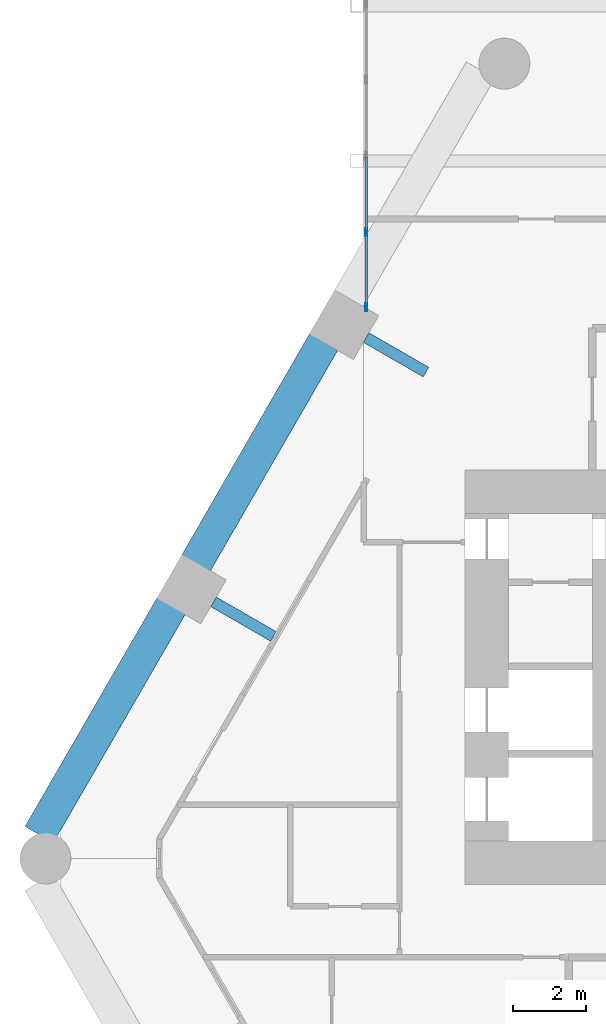
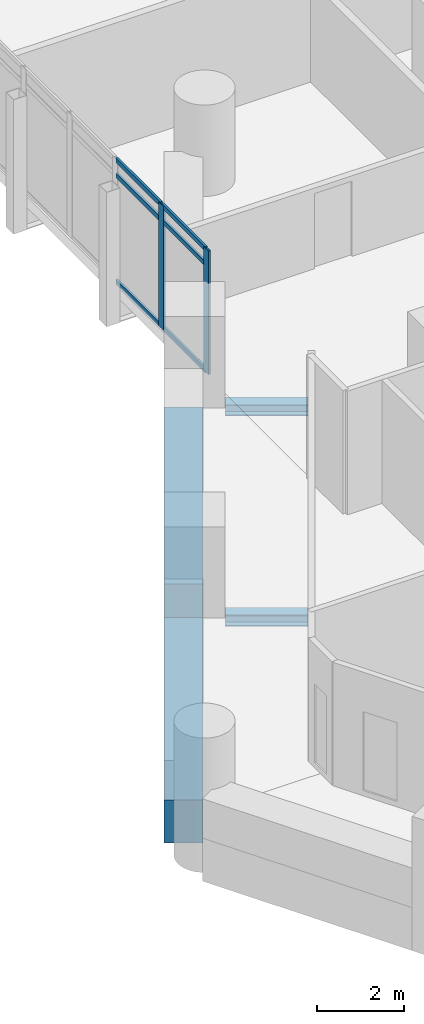
# One storey, part 12 of 28: 8 members, 4 beams, 1 element without a shape of its own.
"""IFC4 building model written with IfcOpenShell, lengths in metres."""

from ifc_helpers import new_model, si_unit, direction, frame, origin, origin_2d, place, context, subcontext, project, spatial, rectangle, hollow_rectangle, i_section, extrude, material, material_profile, profile_set, type_object, element, aggregate, save


model = new_model("IFC4")

# Units and contexts
model_context = context("Model", 3, precision=1e-05, world=origin(), true_north=direction((0.0, 1.0)))
body_context = subcontext(model_context, "Body", "Model", "MODEL_VIEW")
ifc_project = project(units=[si_unit("LENGTHUNIT", "METRE"), si_unit("AREAUNIT", "SQUARE_METRE"), si_unit("VOLUMEUNIT", "CUBIC_METRE"), si_unit("PLANEANGLEUNIT", "RADIAN"), si_unit("MASSUNIT", "GRAM", prefix="KILO")], contexts=[model_context])

# Site, building, storey
site_placement = place(None, origin())
site = spatial("IfcSite", under=ifc_project, at=site_placement, CompositionType="ELEMENT")
building_placement = place(site_placement, origin())
building = spatial("IfcBuilding", under=site, at=building_placement, Name="Ostrander Bayou Hotel Tower", CompositionType="ELEMENT")
storey_placement = place(building_placement, frame((0.0, 0.0, 73.0)))
storey = spatial("IfcBuildingStorey", under=building, at=storey_placement, Name="L18", CompositionType="ELEMENT", Elevation=73.0)

# Curtain wall, members
ifc_material_1 = material(Name="Aluminium and clear glass", Category="aluminium")
curtain_wall_type = type_object("IfcCurtainWallType", Name="CW-BAR glazed wall", PredefinedType="NOTDEFINED", material=ifc_material_1)
curtain_wall_placement = place(storey_placement, origin())
curtain_wall = element("IfcCurtainWall", 1, at=curtain_wall_placement, inside=storey, type_object=curtain_wall_type, Name="CW-BAR L18:SB1N:E", PredefinedType="NOTDEFINED")
ifc_material_2 = material(Name="Aluminium", Category="aluminium")
ifc_material_profile_1 = material_profile(ifc_material_2, hollow_rectangle(XDim=0.06005859375, YDim=0.219970703125, WallThickness=0.00390625, at=origin_2d()))
ifc_profile_set_1 = profile_set([ifc_material_profile_1], Name="Aluminium")
member_type_1 = type_object("IfcMemberType", Name="CW-BR mullion 60 x 220 mm", PredefinedType="MULLION", material=ifc_profile_set_1)
member_1_placement = place(storey_placement, frame((-14.712158203125, 14.1767578125, 0.0), z_axis=(0.0, 0.0, 1.0), x_axis=(-1.0, 0.0, 0.0)))
member_1 = element("IfcMember", 2, at=member_1_placement, type_object=member_type_1, Name="CW-BAR mullion 1", PredefinedType="MULLION", context=body_context, shape_type="SweptSolid", body=[
    extrude(hollow_rectangle(XDim=0.06005859375, YDim=0.219970703125, WallThickness=0.00390625, at=origin_2d()), origin(), (0.0, 0.0, 1.0), 3.449951171875),
])
member_2_placement = place(storey_placement, frame((-14.712158203125, 16.2392578125, 0.0), z_axis=(0.0, 0.0, 1.0), x_axis=(-1.0, 0.0, 0.0)))
member_2 = element("IfcMember", 3, at=member_2_placement, type_object=member_type_1, Name="CW-BAR mullion 2", PredefinedType="MULLION", context=body_context, shape_type="SweptSolid", body=[
    extrude(hollow_rectangle(XDim=0.06005859375, YDim=0.219970703125, WallThickness=0.00390625, at=origin_2d()), origin(), (0.0, 0.0, 1.0), 3.449951171875),
])
ifc_material_3 = material(Name="Aluminium", Category="aluminium")
ifc_material_profile_2 = material_profile(ifc_material_3, hollow_rectangle(XDim=0.06005859375, YDim=0.1298828125, WallThickness=0.00390625, at=origin_2d()))
ifc_profile_set_2 = profile_set([ifc_material_profile_2], Name="Aluminium")
member_type_2 = type_object("IfcMemberType", Name="CW-BR transom 60 x 130 mm", PredefinedType="USERDEFINED", material=ifc_profile_set_2)
member_3_placement = place(storey_placement, frame((-14.712158203125, 14.206787109375, 0.030029296875), z_axis=(0.0, 1.0, 0.0), x_axis=(-1.0, 0.0, 0.0)))
member_3 = element("IfcMember", 4, at=member_3_placement, type_object=member_type_2, Name="CW-BAR transom 1.1", ObjectType="TRANSOM", PredefinedType="USERDEFINED", context=body_context, shape_type="SweptSolid", body=[
    extrude(hollow_rectangle(XDim=0.06005859375, YDim=0.1298828125, WallThickness=0.00390625, at=origin_2d()), origin(), (0.0, 0.0, 1.0), 2.00244140625),
])
member_4_placement = place(storey_placement, frame((-14.712158203125, 14.206787109375, 3.0), z_axis=(0.0, 1.0, 0.0), x_axis=(-1.0, 0.0, 0.0)))
member_4 = element("IfcMember", 5, at=member_4_placement, type_object=member_type_2, Name="CW-BAR transom 1.2", ObjectType="TRANSOM", PredefinedType="USERDEFINED", context=body_context, shape_type="SweptSolid", body=[
    extrude(hollow_rectangle(XDim=0.06005859375, YDim=0.1298828125, WallThickness=0.00390625, at=origin_2d()), origin(), (0.0, 0.0, 1.0), 2.00244140625),
])
member_5_placement = place(storey_placement, frame((-14.712158203125, 14.206787109375, 3.419921875), z_axis=(0.0, 1.0, 0.0), x_axis=(-1.0, 0.0, 0.0)))
member_5 = element("IfcMember", 6, at=member_5_placement, type_object=member_type_2, Name="CW-BAR transom 1.3", ObjectType="TRANSOM", PredefinedType="USERDEFINED", context=body_context, shape_type="SweptSolid", body=[
    extrude(hollow_rectangle(XDim=0.06005859375, YDim=0.1298828125, WallThickness=0.00390625, at=origin_2d()), origin(), (0.0, 0.0, 1.0), 2.00244140625),
])
member_6_placement = place(storey_placement, frame((-14.712158203125, 16.269287109375, 0.030029296875), z_axis=(0.0, 1.0, 0.0), x_axis=(-1.0, 0.0, 0.0)))
member_6 = element("IfcMember", 7, at=member_6_placement, type_object=member_type_2, Name="CW-BAR transom 2.1", ObjectType="TRANSOM", PredefinedType="USERDEFINED", context=body_context, shape_type="SweptSolid", body=[
    extrude(hollow_rectangle(XDim=0.06005859375, YDim=0.1298828125, WallThickness=0.00390625, at=origin_2d()), origin(), (0.0, 0.0, 1.0), 2.032470703125),
])
member_7_placement = place(storey_placement, frame((-14.712158203125, 16.269287109375, 3.0), z_axis=(0.0, 1.0, 0.0), x_axis=(-1.0, 0.0, 0.0)))
member_7 = element("IfcMember", 8, at=member_7_placement, type_object=member_type_2, Name="CW-BAR transom 2.2", ObjectType="TRANSOM", PredefinedType="USERDEFINED", context=body_context, shape_type="SweptSolid", body=[
    extrude(hollow_rectangle(XDim=0.06005859375, YDim=0.1298828125, WallThickness=0.00390625, at=origin_2d()), origin(), (0.0, 0.0, 1.0), 2.032470703125),
])
member_8_placement = place(storey_placement, frame((-14.712158203125, 16.269287109375, 3.419921875), z_axis=(0.0, 1.0, 0.0), x_axis=(-1.0, 0.0, 0.0)))
member_8 = element("IfcMember", 9, at=member_8_placement, type_object=member_type_2, Name="CW-BAR transom 2.3", ObjectType="TRANSOM", PredefinedType="USERDEFINED", context=body_context, shape_type="SweptSolid", body=[
    extrude(hollow_rectangle(XDim=0.06005859375, YDim=0.1298828125, WallThickness=0.00390625, at=origin_2d()), origin(), (0.0, 0.0, 1.0), 2.032470703125),
])
aggregate(curtain_wall, [member_1, member_2, member_3, member_4, member_5, member_6, member_7, member_8])

# Beams
ifc_material_4 = material(Name="Steel ASTM A992", Category="steel")
ifc_material_profile_3 = material_profile(ifc_material_4, i_section(OverallWidth=0.3046875, OverallDepth=0.307861328125, WebThickness=0.010009765625, FlangeThickness=0.015380859375, at=origin_2d()))
ifc_profile_set_3 = profile_set([ifc_material_profile_3], Name="Steel ASTM A992")
beam_type_1 = type_object("IfcBeamType", Name="LB1 loggia bracket W12x65", PredefinedType="BEAM", material=ifc_profile_set_3)
for number, where, z_axis, x_axis, name in (
    (10, (-14.718994140625, 13.34228515625, -0.453857421875), (0.866044365799, -0.499967155389, 0.0), (0.499967155389, 0.866044365799, 0.0), "LB1 L18 NW1"),
    (11, (-18.914306640625, 6.07568359375, -0.453857421875), (0.866044365799, -0.499967155389, 0.0), (0.499967155389, 0.866044365799, 0.0), "LB1 L18 NW2"),
):
    element("IfcBeam", number, at=place(storey_placement, frame(where, z_axis=z_axis, x_axis=x_axis)), inside=storey, type_object=beam_type_1, Name=name, PredefinedType="BEAM", context=body_context, shape_type="SweptSolid", body=[
        extrude(i_section(OverallWidth=0.3046875, OverallDepth=0.307861328125, WebThickness=0.010009765625, FlangeThickness=0.015380859375, at=origin_2d()), origin(), (0.0, 0.0, 1.0), 1.900146484375),
    ])
ifc_material_5 = material(Name="Concrete f'c 70 MPa", Category="concrete")
ifc_material_profile_4 = material_profile(ifc_material_5, rectangle(XDim=0.89990234375, YDim=1.199951171875, at=origin_2d()))
ifc_profile_set_4 = profile_set([ifc_material_profile_4], Name="Concrete f'c 70 MPa")
beam_type_2 = type_object("IfcBeamType", Name="SP1 spandrel beam 900 x 1200 mm f'c 70 MPa", PredefinedType="SPANDREL", material=ifc_profile_set_4)
beam_1_placement = place(storey_placement, frame((-15.876708984375, 13.237060546875, -0.60009765625), z_axis=(-0.500012199891, -0.86601836006, 0.0), x_axis=(0.86601836006, -0.500012199891, 0.0)))
element("IfcBeam", 12, at=beam_1_placement, inside=storey, type_object=beam_type_2, Name="SP1 L18 NW-2", PredefinedType="SPANDREL", context=body_context, shape_type="SweptSolid", body=[
    extrude(rectangle(XDim=0.89990234375, YDim=1.199951171875, at=origin_2d()), origin(), (0.0, 0.0, 1.0), 7.050537109375),
])
beam_2_placement = place(storey_placement, frame((-20.072021484375, 5.970458984375, -0.60009765625), z_axis=(-0.50000343918, -0.866023418164, 0.0), x_axis=(0.866023418164, -0.50000343918, 0.0)))
element("IfcBeam", 13, at=beam_2_placement, inside=storey, type_object=beam_type_2, Name="SP1 L18 NW-3", PredefinedType="SPANDREL", context=body_context, shape_type="SweptSolid", body=[
    extrude(rectangle(XDim=0.89990234375, YDim=1.199951171875, at=origin_2d()), origin(), (0.0, 0.0, 1.0), 7.2705078125),
])

save(model, "model.ifc")
